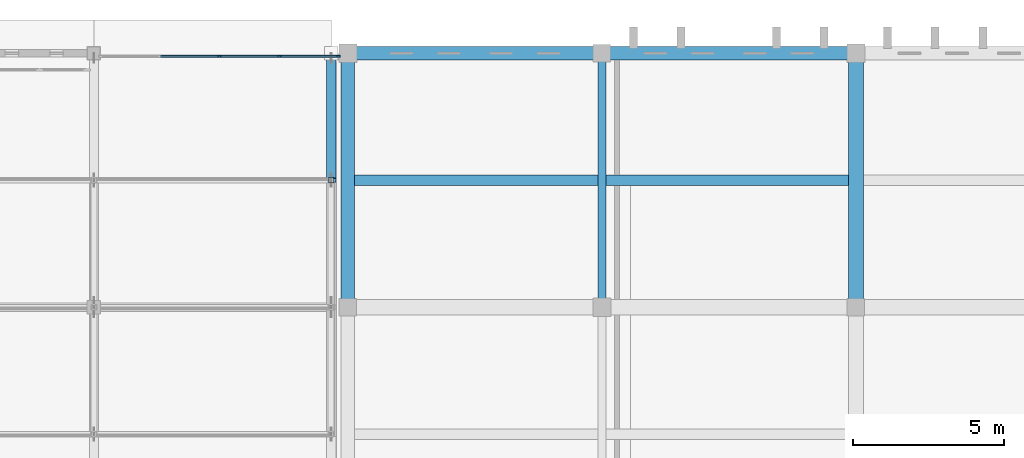
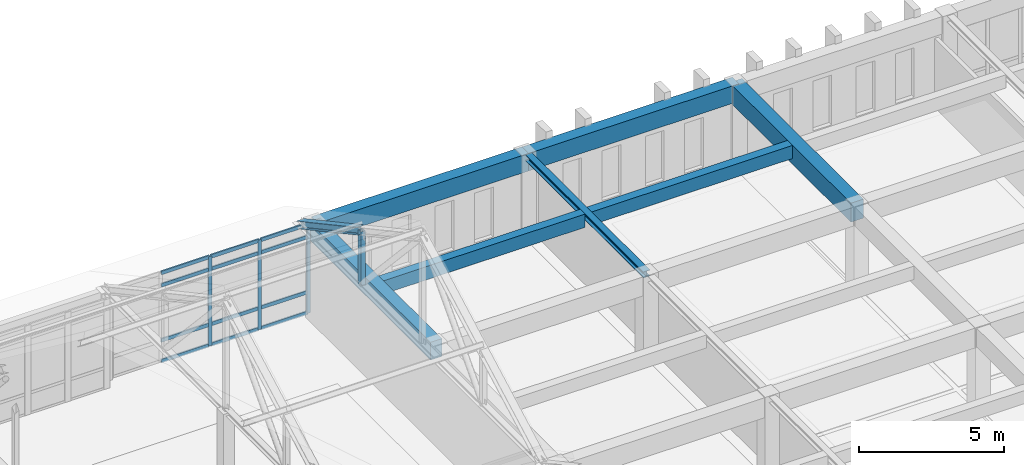
# One storey, part 42 of 110: 17 members, 7 beams, 1 element without a shape of its own.
"""IFC4 building model written with IfcOpenShell, lengths in metres."""

from ifc_helpers import new_model, si_unit, direction, frame, origin, origin_2d, place, context, subcontext, project, spatial, rectangle, hollow_rectangle, i_section, extrude, material, layer, layer_set, material_profile, profile_set, type_object, element, aggregate, save


model = new_model("IFC4")

# Units and contexts
model_context = context("Model", 3, precision=1e-05, world=origin(), true_north=direction((0.0, 1.0)))
body_context = subcontext(model_context, "Body", "Model", "MODEL_VIEW")
ifc_project = project(units=[si_unit("LENGTHUNIT", "METRE"), si_unit("AREAUNIT", "SQUARE_METRE"), si_unit("VOLUMEUNIT", "CUBIC_METRE"), si_unit("PLANEANGLEUNIT", "RADIAN"), si_unit("MASSUNIT", "GRAM", prefix="KILO")], contexts=[model_context])

# Site, building, storey
site_placement = place(None, origin())
site = spatial("IfcSite", under=ifc_project, at=site_placement, CompositionType="ELEMENT")
building_placement = place(site_placement, origin())
building = spatial("IfcBuilding", under=site, at=building_placement, Name="Kveldsbrygga Polytechnic", CompositionType="ELEMENT")
storey_placement = place(building_placement, frame((0.0, 0.0, 9.860107421875)))
storey = spatial("IfcBuildingStorey", under=building, at=storey_placement, Name="L02", CompositionType="ELEMENT", Elevation=9.860107421875)

# Beams
ifc_material_1 = material(Name="Concrete C35/45", Category="concrete")
ifc_material_profile_1 = material_profile(ifc_material_1, rectangle(XDim=0.449951171875, YDim=0.75, at=origin_2d()), Name="RC 450x750")
ifc_profile_set_1 = profile_set([ifc_material_profile_1], Name="Concrete C35/45")
beam_type_1 = type_object("IfcBeamType", Name="BM-RC-450x750", PredefinedType="BEAM", material=ifc_profile_set_1)
beam_1_placement = place(storey_placement, frame((100.800048828125, 109.199951171875, 3.375), z_axis=(0.0, 1.0, 0.0), x_axis=(-1.0, 0.0, 0.0)))
element("IfcBeam", 1, at=beam_1_placement, inside=storey, type_object=beam_type_1, Name="Primary Beam BMY-L02-12-13to14", PredefinedType="BEAM", context=body_context, shape_type="SweptSolid", body=[
    extrude(rectangle(XDim=0.449951171875, YDim=0.75, at=origin_2d()), origin(), (0.0, 0.0, 1.0), 8.400146484375),
])
ifc_material_profile_2 = material_profile(ifc_material_1, rectangle(XDim=0.4599609375, YDim=0.739990234375, at=origin_2d()), Name="RC 460x740")
ifc_profile_set_2 = profile_set([ifc_material_profile_2], Name="Concrete C35/45")
beam_type_2 = type_object("IfcBeamType", Name="BM-RC-460x740", PredefinedType="BEAM", material=ifc_profile_set_2)
beam_2_placement = place(storey_placement, frame((100.800048828125, 117.60009765625, 3.3798828125), z_axis=(1.0, 0.0, 0.0), x_axis=(0.0, 1.0, 0.0)))
element("IfcBeam", 2, at=beam_2_placement, inside=storey, type_object=beam_type_2, Name="Primary Beam BMX-L02-12to13-14", PredefinedType="BEAM", context=body_context, shape_type="SweptSolid", body=[
    extrude(rectangle(XDim=0.4599609375, YDim=0.739990234375, at=origin_2d()), origin(), (0.0, 0.0, 1.0), 8.39990234375),
])
beam_3_placement = place(storey_placement, frame((109.199951171875, 117.60009765625, 3.3798828125), z_axis=(1.0, 0.0, 0.0), x_axis=(0.0, 1.0, 0.0)))
element("IfcBeam", 3, at=beam_3_placement, inside=storey, type_object=beam_type_2, Name="Primary Beam BMX-L02-13to14-14", PredefinedType="BEAM", context=body_context, shape_type="SweptSolid", body=[
    extrude(rectangle(XDim=0.4599609375, YDim=0.739990234375, at=origin_2d()), origin(), (0.0, 0.0, 1.0), 8.400146484375),
])
ifc_material_profile_3 = material_profile(ifc_material_1, rectangle(XDim=0.5, YDim=0.800048828125, at=origin_2d()), Name="RC 500x800")
ifc_profile_set_3 = profile_set([ifc_material_profile_3], Name="Concrete C35/45")
beam_type_3 = type_object("IfcBeamType", Name="BM-RC-500x800", PredefinedType="BEAM", material=ifc_profile_set_3)
beam_4_placement = place(storey_placement, frame((117.60009765625, 109.199951171875, 3.349853515625), z_axis=(0.0, 1.0, 0.0), x_axis=(-1.0, 0.0, 0.0)))
element("IfcBeam", 4, at=beam_4_placement, inside=storey, type_object=beam_type_3, Name="Primary Beam BMY-L02-14-13to14", PredefinedType="BEAM", context=body_context, shape_type="SweptSolid", body=[
    extrude(rectangle(XDim=0.5, YDim=0.800048828125, at=origin_2d()), origin(), (0.0, 0.0, 1.0), 8.400146484375),
])
ifc_material_2 = material(Name="Steel S355", Category="steel")
ifc_material_profile_4 = material_profile(ifc_material_2, i_section(OverallWidth=0.260009765625, OverallDepth=0.260009765625, WebThickness=0.010009765625, FlangeThickness=0.017578125, FilletRadius=0.02392578125, at=origin_2d()), Name="HEB 260")
ifc_profile_set_4 = profile_set([ifc_material_profile_4], Name="Steel S355")
beam_type_4 = type_object("IfcBeamType", Name="BM-STL-HEB260", PredefinedType="BEAM", material=ifc_profile_set_4)
beam_5_placement = place(storey_placement, frame((109.199951171875, 109.199951171875, 3.619873046875), z_axis=(0.0, 1.0, 0.0), x_axis=(-1.0, 0.0, 0.0)))
element("IfcBeam", 5, at=beam_5_placement, inside=storey, type_object=beam_type_4, Name="Primary Beam BMY-L02-13-13to14", PredefinedType="BEAM", context=body_context, shape_type="SweptSolid", body=[
    extrude(i_section(OverallWidth=0.260009765625, OverallDepth=0.260009765625, WebThickness=0.010009765625, FlangeThickness=0.017578125, FilletRadius=0.02392578125, at=origin_2d()), origin(), (0.0, 0.0, 1.0), 8.400146484375),
])

# Curtain wall, members
ifc_material_3 = material(Name="Anodised aluminium AW-6060", Category="aluminium")
ifc_layer = layer(ifc_material_3, 0.199951171875)
ifc_layer_set = layer_set([ifc_layer], Name="Anodised aluminium AW-6060")
curtain_wall_type = type_object("IfcCurtainWallType", Name="CW-LANC-E", PredefinedType="USERDEFINED", material=ifc_layer_set)
curtain_wall_placement = place(storey_placement, origin())
curtain_wall = element("IfcCurtainWall", 6, at=curtain_wall_placement, inside=storey, type_object=curtain_wall_type, Name="Curtain Wall CW-L02-X-11-14", ObjectType="UNITISED CURTAIN WALL", PredefinedType="USERDEFINED")
ifc_material_profile_5 = material_profile(ifc_material_3, rectangle(XDim=0.06005859375, YDim=0.139892578125, at=origin_2d()), Name="ALU 60x140")
ifc_profile_set_5 = profile_set([ifc_material_profile_5], Name="Anodised aluminium AW-6060")
member_type_1 = type_object("IfcMemberType", Name="CW-MUL-140", PredefinedType="MULLION", material=ifc_profile_set_5)
member_1_placement = place(storey_placement, frame((96.554931640625, 117.5, 0.0), z_axis=(0.0, 0.0, 1.0), x_axis=(0.0, 1.0, 0.0)))
member_1 = element("IfcMember", 7, at=member_1_placement, type_object=member_type_1, Name="CW-05 mullion 3", PredefinedType="MULLION", context=body_context, shape_type="SweptSolid", body=[
    extrude(rectangle(XDim=0.06005859375, YDim=0.139892578125, at=origin_2d()), origin(), (0.0, 0.0, 1.0), 3.77978515625),
])
member_2_placement = place(storey_placement, frame((98.534912109375, 117.5, 0.0), z_axis=(0.0, 0.0, 1.0), x_axis=(0.0, 1.0, 0.0)))
member_2 = element("IfcMember", 8, at=member_2_placement, type_object=member_type_1, Name="CW-05 mullion 4", PredefinedType="MULLION", context=body_context, shape_type="SweptSolid", body=[
    extrude(rectangle(XDim=0.06005859375, YDim=0.139892578125, at=origin_2d()), origin(), (0.0, 0.0, 1.0), 3.77978515625),
])
member_3_placement = place(storey_placement, frame((100.485107421875, 117.5, 0.0), z_axis=(0.0, 0.0, 1.0), x_axis=(0.0, 1.0, 0.0)))
member_3 = element("IfcMember", 9, at=member_3_placement, type_object=member_type_1, Name="CW-05 mullion 5", PredefinedType="MULLION", context=body_context, shape_type="SweptSolid", body=[
    extrude(rectangle(XDim=0.06005859375, YDim=0.139892578125, at=origin_2d()), origin(), (0.0, 0.0, 1.0), 3.77978515625),
])
ifc_material_profile_6 = material_profile(ifc_material_3, rectangle(XDim=0.06005859375, YDim=0.14990234375, at=origin_2d()), Name="ALU 60x150")
ifc_profile_set_6 = profile_set([ifc_material_profile_6], Name="Anodised aluminium AW-6060")
member_type_2 = type_object("IfcMemberType", Name="CW-TRN-150", PredefinedType="USERDEFINED", material=ifc_profile_set_6)
member_4_placement = place(storey_placement, frame((94.60498046875, 117.5, 0.02978515625), z_axis=(1.0, 0.0, 0.0), x_axis=(0.0, 1.0, 0.0)))
member_4 = element("IfcMember", 10, at=member_4_placement, type_object=member_type_2, Name="CW-05 transom 2.1", ObjectType="TRANSOM", PredefinedType="USERDEFINED", context=body_context, shape_type="SweptSolid", body=[
    extrude(rectangle(XDim=0.06005859375, YDim=0.14990234375, at=origin_2d()), origin(), (0.0, 0.0, 1.0), 1.919921875),
])
member_5_placement = place(storey_placement, frame((94.60498046875, 117.5, 0.89990234375), z_axis=(1.0, 0.0, 0.0), x_axis=(0.0, 1.0, 0.0)))
member_5 = element("IfcMember", 11, at=member_5_placement, type_object=member_type_2, Name="CW-05 transom 2.2", ObjectType="TRANSOM", PredefinedType="USERDEFINED", context=body_context, shape_type="SweptSolid", body=[
    extrude(rectangle(XDim=0.06005859375, YDim=0.14990234375, at=origin_2d()), origin(), (0.0, 0.0, 1.0), 1.919921875),
])
member_6_placement = place(storey_placement, frame((94.60498046875, 117.5, 3.22998046875), z_axis=(1.0, 0.0, 0.0), x_axis=(0.0, 1.0, 0.0)))
member_6 = element("IfcMember", 12, at=member_6_placement, type_object=member_type_2, Name="CW-05 transom 2.3", ObjectType="TRANSOM", PredefinedType="USERDEFINED", context=body_context, shape_type="SweptSolid", body=[
    extrude(rectangle(XDim=0.06005859375, YDim=0.14990234375, at=origin_2d()), origin(), (0.0, 0.0, 1.0), 1.919921875),
])
member_7_placement = place(storey_placement, frame((94.60498046875, 117.5, 3.75), z_axis=(1.0, 0.0, 0.0), x_axis=(0.0, 1.0, 0.0)))
member_7 = element("IfcMember", 13, at=member_7_placement, type_object=member_type_2, Name="CW-05 transom 2.4", ObjectType="TRANSOM", PredefinedType="USERDEFINED", context=body_context, shape_type="SweptSolid", body=[
    extrude(rectangle(XDim=0.06005859375, YDim=0.14990234375, at=origin_2d()), origin(), (0.0, 0.0, 1.0), 1.919921875),
])
member_8_placement = place(storey_placement, frame((96.5849609375, 117.5, 0.02978515625), z_axis=(1.0, 0.0, 0.0), x_axis=(0.0, 1.0, 0.0)))
member_8 = element("IfcMember", 14, at=member_8_placement, type_object=member_type_2, Name="CW-05 transom 3.1", ObjectType="TRANSOM", PredefinedType="USERDEFINED", context=body_context, shape_type="SweptSolid", body=[
    extrude(rectangle(XDim=0.06005859375, YDim=0.14990234375, at=origin_2d()), origin(), (0.0, 0.0, 1.0), 1.919921875),
])
member_9_placement = place(storey_placement, frame((96.5849609375, 117.5, 0.89990234375), z_axis=(1.0, 0.0, 0.0), x_axis=(0.0, 1.0, 0.0)))
member_9 = element("IfcMember", 15, at=member_9_placement, type_object=member_type_2, Name="CW-05 transom 3.2", ObjectType="TRANSOM", PredefinedType="USERDEFINED", context=body_context, shape_type="SweptSolid", body=[
    extrude(rectangle(XDim=0.06005859375, YDim=0.14990234375, at=origin_2d()), origin(), (0.0, 0.0, 1.0), 1.919921875),
])
member_10_placement = place(storey_placement, frame((96.5849609375, 117.5, 3.22998046875), z_axis=(1.0, 0.0, 0.0), x_axis=(0.0, 1.0, 0.0)))
member_10 = element("IfcMember", 16, at=member_10_placement, type_object=member_type_2, Name="CW-05 transom 3.3", ObjectType="TRANSOM", PredefinedType="USERDEFINED", context=body_context, shape_type="SweptSolid", body=[
    extrude(rectangle(XDim=0.06005859375, YDim=0.14990234375, at=origin_2d()), origin(), (0.0, 0.0, 1.0), 1.919921875),
])
member_11_placement = place(storey_placement, frame((96.5849609375, 117.5, 3.75), z_axis=(1.0, 0.0, 0.0), x_axis=(0.0, 1.0, 0.0)))
member_11 = element("IfcMember", 17, at=member_11_placement, type_object=member_type_2, Name="CW-05 transom 3.4", ObjectType="TRANSOM", PredefinedType="USERDEFINED", context=body_context, shape_type="SweptSolid", body=[
    extrude(rectangle(XDim=0.06005859375, YDim=0.14990234375, at=origin_2d()), origin(), (0.0, 0.0, 1.0), 1.919921875),
])
member_12_placement = place(storey_placement, frame((98.56494140625, 117.5, 0.02978515625), z_axis=(1.0, 0.0, 0.0), x_axis=(0.0, 1.0, 0.0)))
member_12 = element("IfcMember", 18, at=member_12_placement, type_object=member_type_2, Name="CW-05 transom 4.1", ObjectType="TRANSOM", PredefinedType="USERDEFINED", context=body_context, shape_type="SweptSolid", body=[
    extrude(rectangle(XDim=0.06005859375, YDim=0.14990234375, at=origin_2d()), origin(), (0.0, 0.0, 1.0), 1.89013671875),
])
member_13_placement = place(storey_placement, frame((98.56494140625, 117.5, 0.89990234375), z_axis=(1.0, 0.0, 0.0), x_axis=(0.0, 1.0, 0.0)))
member_13 = element("IfcMember", 19, at=member_13_placement, type_object=member_type_2, Name="CW-05 transom 4.2", ObjectType="TRANSOM", PredefinedType="USERDEFINED", context=body_context, shape_type="SweptSolid", body=[
    extrude(rectangle(XDim=0.06005859375, YDim=0.14990234375, at=origin_2d()), origin(), (0.0, 0.0, 1.0), 1.89013671875),
])
member_14_placement = place(storey_placement, frame((98.56494140625, 117.5, 3.22998046875), z_axis=(1.0, 0.0, 0.0), x_axis=(0.0, 1.0, 0.0)))
member_14 = element("IfcMember", 20, at=member_14_placement, type_object=member_type_2, Name="CW-05 transom 4.3", ObjectType="TRANSOM", PredefinedType="USERDEFINED", context=body_context, shape_type="SweptSolid", body=[
    extrude(rectangle(XDim=0.06005859375, YDim=0.14990234375, at=origin_2d()), origin(), (0.0, 0.0, 1.0), 1.89013671875),
])
member_15_placement = place(storey_placement, frame((98.56494140625, 117.5, 3.75), z_axis=(1.0, 0.0, 0.0), x_axis=(0.0, 1.0, 0.0)))
member_15 = element("IfcMember", 21, at=member_15_placement, type_object=member_type_2, Name="CW-05 transom 4.4", ObjectType="TRANSOM", PredefinedType="USERDEFINED", context=body_context, shape_type="SweptSolid", body=[
    extrude(rectangle(XDim=0.06005859375, YDim=0.14990234375, at=origin_2d()), origin(), (0.0, 0.0, 1.0), 1.89013671875),
])
aggregate(curtain_wall, [member_1, member_2, member_3, member_4, member_5, member_6, member_7, member_8, member_9, member_10, member_11, member_12, member_13, member_14, member_15])

# Beams
ifc_material_profile_7 = material_profile(ifc_material_1, rectangle(XDim=0.340087890625, YDim=0.56005859375, at=origin_2d()), Name="RC 340x560")
ifc_profile_set_7 = profile_set([ifc_material_profile_7], Name="Concrete C35/45")
beam_type_5 = type_object("IfcBeamType", Name="JST-RC-340x560", PredefinedType="JOIST", material=ifc_profile_set_7)
beam_6_placement = place(storey_placement, frame((101.02490234375, 113.39990234375, 3.469970703125), z_axis=(1.0, 0.0, 0.0), x_axis=(0.0, 1.0, 0.0)))
element("IfcBeam", 22, at=beam_6_placement, inside=storey, type_object=beam_type_5, Name="Secondary Joist JST-L02-12-13", PredefinedType="JOIST", context=body_context, shape_type="SweptSolid", body=[
    extrude(rectangle(XDim=0.340087890625, YDim=0.56005859375, at=origin_2d()), origin(), (0.0, 0.0, 1.0), 8.045166015625),
])
ifc_material_profile_8 = material_profile(ifc_material_1, rectangle(XDim=0.35009765625, YDim=0.550048828125, at=origin_2d()), Name="RC 350x550")
ifc_profile_set_8 = profile_set([ifc_material_profile_8], Name="Concrete C35/45")
beam_type_6 = type_object("IfcBeamType", Name="JST-RC-350x550", PredefinedType="JOIST", material=ifc_profile_set_8)
beam_7_placement = place(storey_placement, frame((109.330078125, 113.39990234375, 3.474853515625), z_axis=(1.0, 0.0, 0.0), x_axis=(0.0, 1.0, 0.0)))
element("IfcBeam", 23, at=beam_7_placement, inside=storey, type_object=beam_type_6, Name="Secondary Joist JST-L02-13-13", PredefinedType="JOIST", context=body_context, shape_type="SweptSolid", body=[
    extrude(rectangle(XDim=0.35009765625, YDim=0.550048828125, at=origin_2d()), origin(), (0.0, 0.0, 1.0), 8.02001953125),
])

# Members
ifc_material_profile_9 = material_profile(ifc_material_2, hollow_rectangle(XDim=0.179931640625, YDim=0.179931640625, WallThickness=0.010009765625, at=origin_2d()), Name="SHS 180x180x10.0")
ifc_profile_set_9 = profile_set([ifc_material_profile_9], Name="Steel S355")
member_type_3 = type_object("IfcMemberType", Name="TR-POST-SHS180", PredefinedType="STRUT", material=ifc_profile_set_9)
member_16_placement = place(storey_placement, frame((100.25, 113.39990234375, 3.77978515625), z_axis=(0.0, 0.0, 1.0), x_axis=(1.0, 0.0, 0.0)))
element("IfcMember", 24, at=member_16_placement, inside=storey, type_object=member_type_3, Name="Truss Vertical V2L2-T08-VT-3", PredefinedType="STRUT", context=body_context, shape_type="SweptSolid", body=[
    extrude(hollow_rectangle(XDim=0.179931640625, YDim=0.179931640625, WallThickness=0.010009765625, at=origin_2d()), origin(), (0.0, 0.0, 1.0), 2.275146484375),
])
ifc_material_profile_10 = material_profile(ifc_material_2, i_section(OverallWidth=0.300048828125, OverallDepth=0.2900390625, WebThickness=0.008544921875, FlangeThickness=0.013916015625, FilletRadius=0.027099609375, at=origin_2d()), Name="HEA 300")
ifc_profile_set_10 = profile_set([ifc_material_profile_10], Name="Steel S355")
member_type_4 = type_object("IfcMemberType", Name="TR-TOP-HEA300", PredefinedType="CHORD", material=ifc_profile_set_10)
member_17_placement = place(storey_placement, frame((100.25, 113.39990234375, 6.054931640625), z_axis=(0.0, 0.879288399135, -0.476289734454), x_axis=(-1.0, 0.0, 0.0)))
element("IfcMember", 25, at=member_17_placement, inside=storey, type_object=member_type_4, Name="Truss Top Chord V2L2-T08-TC-4", PredefinedType="CHORD", context=body_context, shape_type="SweptSolid", body=[
    extrude(i_section(OverallWidth=0.300048828125, OverallDepth=0.2900390625, WebThickness=0.008544921875, FlangeThickness=0.013916015625, FilletRadius=0.027099609375, at=origin_2d()), origin(), (0.0, 0.0, 1.0), 4.77685546875),
])

save(model, "model.ifc")
